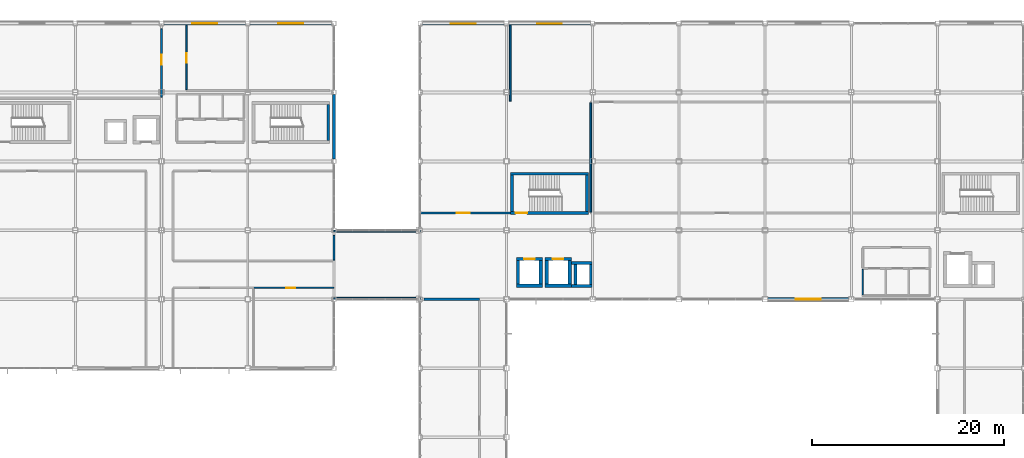
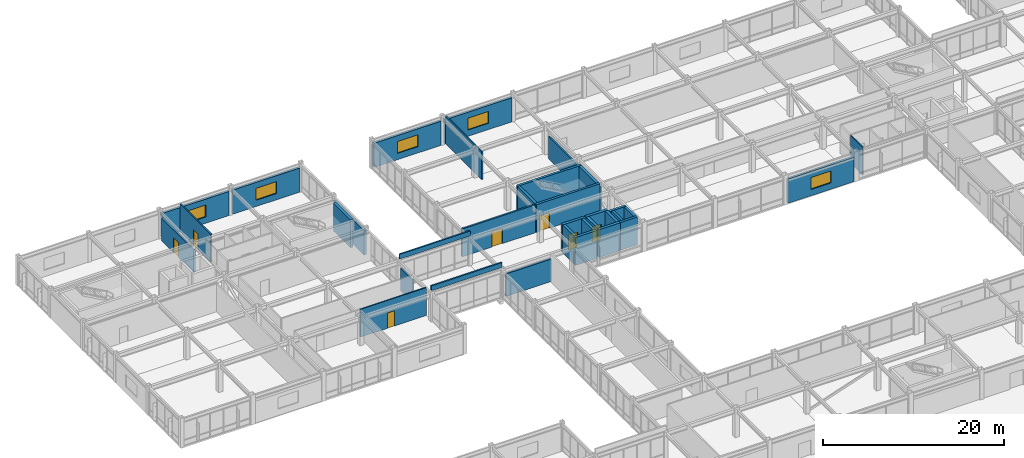
# One storey, part 102 of 122: 34 walls, 7 doors, 5 windows, 12 openings.
"""IFC4 building model written with IfcOpenShell, lengths in metres."""

from ifc_helpers import new_model, si_unit, direction, frame, frame_2d, origin, place, context, subcontext, project, spatial, rectangle, extrude, material, layer, layer_set, type_object, element, fill, save


model = new_model("IFC4")

# Units and contexts
model_context = context("Model", 3, precision=1e-05, world=origin(), true_north=direction((0.0, 1.0)))
body_context = subcontext(model_context, "Body", "Model", "MODEL_VIEW")
ifc_project = project(units=[si_unit("LENGTHUNIT", "METRE"), si_unit("AREAUNIT", "SQUARE_METRE"), si_unit("VOLUMEUNIT", "CUBIC_METRE"), si_unit("PLANEANGLEUNIT", "RADIAN"), si_unit("MASSUNIT", "GRAM", prefix="KILO")], contexts=[model_context])

# Site, building, storey
site_placement = place(None, origin())
site = spatial("IfcSite", under=ifc_project, at=site_placement, CompositionType="ELEMENT")
building_placement = place(site_placement, origin())
building = spatial("IfcBuilding", under=site, at=building_placement, Name="Kazanami Central Library", CompositionType="ELEMENT")
storey_placement = place(building_placement, frame((0.0, 0.0, 4.800048828125)))
storey = spatial("IfcBuildingStorey", under=building, at=storey_placement, Name="L02", CompositionType="ELEMENT", Elevation=4.800048828125)

# Wall
ifc_material_1 = material(Name="Concrete Fc36 (36 MPa)", Category="concrete")
ifc_layer_1 = layer(ifc_material_1, 0.219970703125, Name="Concrete Fc36 (36 MPa)")
ifc_material_2 = material(Name="Extruded Polystyrene XPS", Category="earth")
ifc_layer_2 = layer(ifc_material_2, 0.050048828125, Name="Extruded Polystyrene XPS")
ifc_material_3 = material(Name="Honed Inada Granite", Category="masonry")
ifc_layer_3 = layer(ifc_material_3, 0.030029296875, Name="Honed Inada Granite")
ifc_layer_set_1 = layer_set([ifc_layer_1, ifc_layer_2, ifc_layer_3], Name="Concrete Fc36 (36 MPa)")
wall_type_1 = type_object("IfcWallType", Name="WAL-EW-300", PredefinedType="STANDARD", material=ifc_layer_set_1)
wall_1_placement = place(storey_placement, frame((36.0, 86.175048828125, 0.0), z_axis=(0.0, 0.0, 1.0), x_axis=(0.0, -1.0, 0.0)))
element("IfcWall", 1, at=wall_1_placement, inside=storey, type_object=wall_type_1, Name="Exterior Facade Wall EW-300 L02 E-5-11", PredefinedType="STANDARD", context=body_context, shape_type="SweptSolid", body=[
    extrude(rectangle(XDim=6.75, YDim=0.300048828125, at=frame_2d((3.375, 0.0))), origin(), (0.0, 0.0, 1.0), 3.2548828125),
])

# Wall, opening, window
ifc_layer_4 = layer(ifc_material_1, 0.239990234375, Name="Concrete Fc36 (36 MPa)")
ifc_layer_5 = layer(ifc_material_2, 0.050048828125, Name="Extruded Polystyrene XPS")
ifc_layer_6 = layer(ifc_material_3, 0.030029296875, Name="Honed Inada Granite")
ifc_layer_set_2 = layer_set([ifc_layer_4, ifc_layer_5, ifc_layer_6], Name="Concrete Fc36 (36 MPa)")
wall_type_2 = type_object("IfcWallType", Name="WAL-EW-320", PredefinedType="STANDARD", material=ifc_layer_set_2)
wall_2_placement = place(storey_placement, frame((81.27490234375, 64.800048828125, 0.0), z_axis=(0.0, 0.0, 1.0), x_axis=(1.0, 0.0, 0.0)))
wall_2 = element("IfcWall", 2, at=wall_2_placement, inside=storey, type_object=wall_type_2, Name="Exterior Facade Wall EW-320 L02 S-K-09", PredefinedType="STANDARD", context=body_context, shape_type="SweptSolid", body=[
    extrude(rectangle(XDim=8.4501953125, YDim=0.320068359375, at=frame_2d((4.22509765625, 0.0))), origin(), (0.0, 0.0, 1.0), 3.2548828125),
])
opening_1_placement = place(wall_2_placement, frame((2.925048828125, 0.0, 0.85009765625)))
opening_1 = element("IfcOpeningElement", 3, at=opening_1_placement, cuts=wall_2, Name="Opening WN-13", PredefinedType="OPENING", context=body_context, shape_type="SweptSolid", body=[
    extrude(rectangle(XDim=2.60009765625, YDim=1.60009765625, at=frame_2d((1.300048828125, 0.800048828125))), frame((0.0, 0.171875, 0.0), z_axis=(0.0, -1.0, 0.0), x_axis=(1.0, 0.0, 0.0)), (0.0, 0.0, 1.0), 0.343994140625),
])
ifc_material_4 = material(Name="Low-E Insulated Triple Glass", Category="glass")
window_type = type_object("IfcWindowType", Name="WIN-WN-13", PartitioningType="DOUBLE_PANEL_VERTICAL", PredefinedType="WINDOW", material=ifc_material_4)
window_1_placement = place(opening_1_placement, origin())
window_1 = element("IfcWindow", 4, at=window_1_placement, inside=storey, type_object=window_type, Name="Facade Window WN-13 L02 S-K-09", OverallHeight=1.60009765625, OverallWidth=2.60009765625, PartitioningType="DOUBLE_PANEL_VERTICAL", PredefinedType="WINDOW", context=body_context, shape_type="SweptSolid", body=[
    extrude(rectangle(XDim=2.60009765625, YDim=1.60009765625, at=frame_2d((1.300048828125, 0.800048828125))), frame((0.0, 0.030029296875, 0.0), z_axis=(0.0, -1.0, 0.0), x_axis=(1.0, 0.0, 0.0)), (0.0, 0.0, 1.0), 0.06005859375),
])
fill(opening_1, window_1)

wall_3_placement = place(storey_placement, frame((26.77490234375, 93.60009765625, 0.0), z_axis=(0.0, 0.0, 1.0), x_axis=(-1.0, 0.0, 0.0)))
wall_3 = element("IfcWall", 5, at=wall_3_placement, inside=storey, type_object=wall_type_2, Name="Exterior Facade Wall EW-320 L02 N-O-02", PredefinedType="STANDARD", context=body_context, shape_type="SweptSolid", body=[
    extrude(rectangle(XDim=8.5498046875, YDim=0.320068359375, at=frame_2d((4.27490234375, 0.0))), origin(), (0.0, 0.0, 1.0), 3.2548828125),
])
opening_2_placement = place(wall_3_placement, frame((2.97509765625, 0.0, 0.85009765625)))
opening_2 = element("IfcOpeningElement", 6, at=opening_2_placement, cuts=wall_3, Name="Opening WN-13", PredefinedType="OPENING", context=body_context, shape_type="SweptSolid", body=[
    extrude(rectangle(XDim=2.60009765625, YDim=1.60009765625, at=frame_2d((1.300048828125, 0.800048828125))), frame((0.0, 0.171875, 0.0), z_axis=(0.0, -1.0, 0.0), x_axis=(1.0, 0.0, 0.0)), (0.0, 0.0, 1.0), 0.343994140625),
])
window_2_placement = place(opening_2_placement, origin())
window_2 = element("IfcWindow", 7, at=window_2_placement, inside=storey, type_object=window_type, Name="Facade Window WN-13 L02 N-O-02", OverallHeight=1.60009765625, OverallWidth=2.60009765625, PartitioningType="DOUBLE_PANEL_VERTICAL", PredefinedType="WINDOW", context=body_context, shape_type="SweptSolid", body=[
    extrude(rectangle(XDim=2.60009765625, YDim=1.60009765625, at=frame_2d((1.300048828125, 0.800048828125))), frame((0.0, 0.030029296875, 0.0), z_axis=(0.0, -1.0, 0.0), x_axis=(1.0, 0.0, 0.0)), (0.0, 0.0, 1.0), 0.06005859375),
])
fill(opening_2, window_2)

wall_4_placement = place(storey_placement, frame((35.77490234375, 93.60009765625, 0.0), z_axis=(0.0, 0.0, 1.0), x_axis=(-1.0, 0.0, 0.0)))
wall_4 = element("IfcWall", 8, at=wall_4_placement, inside=storey, type_object=wall_type_2, Name="Exterior Facade Wall EW-320 L02 N-O-03", PredefinedType="STANDARD", context=body_context, shape_type="SweptSolid", body=[
    extrude(rectangle(XDim=8.5498046875, YDim=0.320068359375, at=frame_2d((4.27490234375, 0.0))), origin(), (0.0, 0.0, 1.0), 3.2548828125),
])
opening_3_placement = place(wall_4_placement, frame((2.97509765625, 0.0, 0.85009765625)))
opening_3 = element("IfcOpeningElement", 9, at=opening_3_placement, cuts=wall_4, Name="Opening WN-13", PredefinedType="OPENING", context=body_context, shape_type="SweptSolid", body=[
    extrude(rectangle(XDim=2.60009765625, YDim=1.60009765625, at=frame_2d((1.300048828125, 0.800048828125))), frame((0.0, 0.171875, 0.0), z_axis=(0.0, -1.0, 0.0), x_axis=(1.0, 0.0, 0.0)), (0.0, 0.0, 1.0), 0.343994140625),
])
window_3_placement = place(opening_3_placement, origin())
window_3 = element("IfcWindow", 10, at=window_3_placement, inside=storey, type_object=window_type, Name="Facade Window WN-13 L02 N-O-03", OverallHeight=1.60009765625, OverallWidth=2.60009765625, PartitioningType="DOUBLE_PANEL_VERTICAL", PredefinedType="WINDOW", context=body_context, shape_type="SweptSolid", body=[
    extrude(rectangle(XDim=2.60009765625, YDim=1.60009765625, at=frame_2d((1.300048828125, 0.800048828125))), frame((0.0, 0.030029296875, 0.0), z_axis=(0.0, -1.0, 0.0), x_axis=(1.0, 0.0, 0.0)), (0.0, 0.0, 1.0), 0.06005859375),
])
fill(opening_3, window_3)

wall_5_placement = place(storey_placement, frame((53.77490234375, 93.60009765625, 0.0), z_axis=(0.0, 0.0, 1.0), x_axis=(-1.0, 0.0, 0.0)))
wall_5 = element("IfcWall", 11, at=wall_5_placement, inside=storey, type_object=wall_type_2, Name="Exterior Facade Wall EW-320 L02 N-O-05", PredefinedType="STANDARD", context=body_context, shape_type="SweptSolid", body=[
    extrude(rectangle(XDim=8.5498046875, YDim=0.320068359375, at=frame_2d((4.27490234375, 0.0))), origin(), (0.0, 0.0, 1.0), 3.2548828125),
])
opening_4_placement = place(wall_5_placement, frame((2.97509765625, 0.0, 0.85009765625)))
opening_4 = element("IfcOpeningElement", 12, at=opening_4_placement, cuts=wall_5, Name="Opening WN-13", PredefinedType="OPENING", context=body_context, shape_type="SweptSolid", body=[
    extrude(rectangle(XDim=2.60009765625, YDim=1.60009765625, at=frame_2d((1.300048828125, 0.800048828125))), frame((0.0, 0.171875, 0.0), z_axis=(0.0, -1.0, 0.0), x_axis=(1.0, 0.0, 0.0)), (0.0, 0.0, 1.0), 0.343994140625),
])
window_4_placement = place(opening_4_placement, origin())
window_4 = element("IfcWindow", 13, at=window_4_placement, inside=storey, type_object=window_type, Name="Facade Window WN-13 L02 N-O-05", OverallHeight=1.60009765625, OverallWidth=2.60009765625, PartitioningType="DOUBLE_PANEL_VERTICAL", PredefinedType="WINDOW", context=body_context, shape_type="SweptSolid", body=[
    extrude(rectangle(XDim=2.60009765625, YDim=1.60009765625, at=frame_2d((1.300048828125, 0.800048828125))), frame((0.0, 0.030029296875, 0.0), z_axis=(0.0, -1.0, 0.0), x_axis=(1.0, 0.0, 0.0)), (0.0, 0.0, 1.0), 0.06005859375),
])
fill(opening_4, window_4)

wall_6_placement = place(storey_placement, frame((62.77490234375, 93.60009765625, 0.0), z_axis=(0.0, 0.0, 1.0), x_axis=(-1.0, 0.0, 0.0)))
wall_6 = element("IfcWall", 14, at=wall_6_placement, inside=storey, type_object=wall_type_2, Name="Exterior Facade Wall EW-320 L02 N-O-06", PredefinedType="STANDARD", context=body_context, shape_type="SweptSolid", body=[
    extrude(rectangle(XDim=8.5498046875, YDim=0.320068359375, at=frame_2d((4.27490234375, 0.0))), origin(), (0.0, 0.0, 1.0), 3.2548828125),
])
opening_5_placement = place(wall_6_placement, frame((2.97509765625, 0.0, 0.85009765625)))
opening_5 = element("IfcOpeningElement", 15, at=opening_5_placement, cuts=wall_6, Name="Opening WN-13", PredefinedType="OPENING", context=body_context, shape_type="SweptSolid", body=[
    extrude(rectangle(XDim=2.60009765625, YDim=1.60009765625, at=frame_2d((1.300048828125, 0.800048828125))), frame((0.0, 0.171875, 0.0), z_axis=(0.0, -1.0, 0.0), x_axis=(1.0, 0.0, 0.0)), (0.0, 0.0, 1.0), 0.343994140625),
])
window_5_placement = place(opening_5_placement, origin())
window_5 = element("IfcWindow", 16, at=window_5_placement, inside=storey, type_object=window_type, Name="Facade Window WN-13 L02 N-O-06", OverallHeight=1.60009765625, OverallWidth=2.60009765625, PartitioningType="DOUBLE_PANEL_VERTICAL", PredefinedType="WINDOW", context=body_context, shape_type="SweptSolid", body=[
    extrude(rectangle(XDim=2.60009765625, YDim=1.60009765625, at=frame_2d((1.300048828125, 0.800048828125))), frame((0.0, 0.030029296875, 0.0), z_axis=(0.0, -1.0, 0.0), x_axis=(1.0, 0.0, 0.0)), (0.0, 0.0, 1.0), 0.06005859375),
])
fill(opening_5, window_5)

# Wall
ifc_material_5 = material(Name="Fire-Resistant Gypsum Board GB-F", Category="gypsum")
ifc_layer_7 = layer(ifc_material_5, 0.1650390625, Name="Fire-Resistant Gypsum Board GB-F")
ifc_layer_set_3 = layer_set([ifc_layer_7], Name="Fire-Resistant Gypsum Board GB-F")
wall_type_3 = type_object("IfcWallType", Name="WAL-FW-165", PredefinedType="PARTITIONING", material=ifc_layer_set_3)
wall_7_placement = place(storey_placement, frame((36.0, 68.889892578125, 0.0), z_axis=(0.0, 0.0, 1.0), x_axis=(0.0, 1.0, 0.0)))
element("IfcWall", 17, at=wall_7_placement, inside=storey, type_object=wall_type_3, Name="Interior Partition FW-165 L02 RM-20 (East)", PredefinedType="PARTITIONING", context=body_context, shape_type="SweptSolid", body=[
    extrude(rectangle(XDim=2.590087890625, YDim=0.1650390625, at=frame_2d((1.294921875, 0.0))), origin(), (0.0, 0.0, 1.0), 3.034912109375),
])

# Wall, opening, door
wall_8_placement = place(storey_placement, frame((20.60009765625, 86.68994140625, 0.0), z_axis=(0.0, 0.0, 1.0), x_axis=(0.0, 1.0, 0.0)))
wall_8 = element("IfcWall", 18, at=wall_8_placement, inside=storey, type_object=wall_type_3, Name="Interior Partition FW-165 L02 RM-22 (West)", PredefinedType="PARTITIONING", context=body_context, shape_type="SweptSolid", body=[
    extrude(rectangle(XDim=6.7451171875, YDim=0.1650390625, at=frame_2d((3.37255859375, 0.0))), origin(), (0.0, 0.0, 1.0), 3.7548828125),
])
opening_6_placement = place(wall_8_placement, frame((2.81005859375, 0.0, 0.0)))
opening_6 = element("IfcOpeningElement", 19, at=opening_6_placement, cuts=wall_8, Name="Opening FD30-2", PredefinedType="OPENING", context=body_context, shape_type="SweptSolid", body=[
    extrude(rectangle(XDim=1.0, YDim=2.080078125, at=frame_2d((0.5, 1.0400390625))), frame((0.0, 0.094482421875, 0.0), z_axis=(0.0, -1.0, 0.0), x_axis=(1.0, 0.0, 0.0)), (0.0, 0.0, 1.0), 0.18896484375),
])
ifc_material_6 = material(Name="Cold-Rolled Steel SPCC", Category="steel")
door_type_1 = type_object("IfcDoorType", Name="DOR-FD30-2", OperationType="NOTDEFINED", PredefinedType="DOOR", material=ifc_material_6)
door_1_placement = place(opening_6_placement, origin())
door_1 = element("IfcDoor", 20, at=door_1_placement, inside=storey, type_object=door_type_1, Name="Interior Door FD30-2 L02 RM-22", OperationType="SINGLE_SWING_RIGHT", OverallHeight=2.080078125, OverallWidth=1.0, PredefinedType="DOOR", context=body_context, shape_type="SweptSolid", body=[
    extrude(rectangle(XDim=1.0, YDim=2.080078125, at=frame_2d((0.5, 1.0400390625))), frame((0.0, 0.02490234375, 0.0), z_axis=(0.0, -1.0, 0.0), x_axis=(1.0, 0.0, 0.0)), (0.0, 0.0, 1.0), 0.050048828125),
])
fill(opening_6, door_1)

# Walls
wall_9_placement = place(storey_placement, frame((54.39990234375, 85.489990234375, 0.0), z_axis=(0.0, 0.0, 1.0), x_axis=(0.0, 1.0, 0.0)))
element("IfcWall", 21, at=wall_9_placement, inside=storey, type_object=wall_type_3, Name="Interior Partition FW-165 L02 RM-36 (West)", PredefinedType="PARTITIONING", context=body_context, shape_type="SweptSolid", body=[
    extrude(rectangle(XDim=7.945068359375, YDim=0.1650390625, at=frame_2d((3.97265625, 0.0))), origin(), (0.0, 0.0, 1.0), 3.7548828125),
])
ifc_layer_8 = layer(ifc_material_5, 0.179931640625, Name="Fire-Resistant Gypsum Board GB-F")
ifc_layer_set_4 = layer_set([ifc_layer_8], Name="Fire-Resistant Gypsum Board GB-F")
wall_type_4 = type_object("IfcWallType", Name="WAL-FW-180", PredefinedType="PARTITIONING", material=ifc_layer_set_4)
wall_10_placement = place(storey_placement, frame((62.800048828125, 73.889892578125, 0.0), z_axis=(0.0, 0.0, 1.0), x_axis=(0.0, 1.0, 0.0)))
element("IfcWall", 22, at=wall_10_placement, inside=storey, type_object=wall_type_4, Name="Interior Partition FW-180 L02 RM-33 (West)", PredefinedType="PARTITIONING", context=body_context, shape_type="SweptSolid", body=[
    extrude(rectangle(XDim=11.420166015625, YDim=0.179931640625, at=frame_2d((5.7099609375, 0.0))), origin(), (0.0, 0.0, 1.0), 3.034912109375),
])

# Wall, opening, door
ifc_layer_9 = layer(ifc_material_5, 0.199951171875, Name="Fire-Resistant Gypsum Board GB-F")
ifc_layer_set_5 = layer_set([ifc_layer_9], Name="Fire-Resistant Gypsum Board GB-F")
wall_type_5 = type_object("IfcWallType", Name="WAL-FW-200", PredefinedType="PARTITIONING", material=ifc_layer_set_5)
wall_11_placement = place(storey_placement, frame((18.0, 85.889892578125, 0.0), z_axis=(0.0, 0.0, 1.0), x_axis=(0.0, 1.0, 0.0)))
wall_11 = element("IfcWall", 23, at=wall_11_placement, inside=storey, type_object=wall_type_5, Name="Interior Partition FW-200 L02 RM-21 (East)", PredefinedType="PARTITIONING", context=body_context, shape_type="SweptSolid", body=[
    extrude(rectangle(XDim=7.125, YDim=0.199951171875, at=frame_2d((3.5625, 0.0))), origin(), (0.0, 0.0, 1.0), 3.034912109375),
])
opening_7_placement = place(wall_11_placement, frame((3.385009765625, 0.0, 0.0)))
opening_7 = element("IfcOpeningElement", 24, at=opening_7_placement, cuts=wall_11, Name="Opening FD60-8", PredefinedType="OPENING", context=body_context, shape_type="SweptSolid", body=[
    extrude(rectangle(XDim=1.050048828125, YDim=2.02001953125, at=frame_2d((0.52490234375, 1.010009765625))), frame((0.0, 0.11181640625, 0.0), z_axis=(0.0, -1.0, 0.0), x_axis=(1.0, 0.0, 0.0)), (0.0, 0.0, 1.0), 0.223876953125),
])
door_type_2 = type_object("IfcDoorType", Name="DOR-FD60-8", OperationType="NOTDEFINED", PredefinedType="DOOR", material=ifc_material_6)
door_2_placement = place(opening_7_placement, origin())
door_2 = element("IfcDoor", 25, at=door_2_placement, inside=storey, type_object=door_type_2, Name="Interior Door FD60-8 L02 RM-21", OperationType="SINGLE_SWING_LEFT", OverallHeight=2.02001953125, OverallWidth=1.050048828125, PredefinedType="DOOR", context=body_context, shape_type="SweptSolid", body=[
    extrude(rectangle(XDim=1.050048828125, YDim=2.02001953125, at=frame_2d((0.52490234375, 1.010009765625))), frame((0.0, 0.02490234375, 0.0), z_axis=(0.0, -1.0, 0.0), x_axis=(1.0, 0.0, 0.0)), (0.0, 0.0, 1.0), 0.050048828125),
])
fill(opening_7, door_2)

# Wall
ifc_layer_10 = layer(ifc_material_5, 0.219970703125, Name="Fire-Resistant Gypsum Board GB-F")
ifc_layer_set_6 = layer_set([ifc_layer_10], Name="Fire-Resistant Gypsum Board GB-F")
wall_type_6 = type_object("IfcWallType", Name="WAL-FW-220", PredefinedType="PARTITIONING", material=ifc_layer_set_6)
wall_12_placement = place(storey_placement, frame((45.419921875, 64.800048828125, 0.0), z_axis=(0.0, 0.0, 1.0), x_axis=(1.0, 0.0, 0.0)))
element("IfcWall", 26, at=wall_12_placement, inside=storey, type_object=wall_type_6, Name="Interior Partition FW-220 L02 RM-31 (North)", PredefinedType="PARTITIONING", context=body_context, shape_type="SweptSolid", body=[
    extrude(rectangle(XDim=5.780029296875, YDim=0.219970703125, at=frame_2d((2.89013671875, 0.0))), origin(), (0.0, 0.0, 1.0), 3.034912109375),
])

# Wall, opening, door
wall_13_placement = place(storey_placement, frame((45.034912109375, 73.800048828125, 0.0), z_axis=(0.0, 0.0, 1.0), x_axis=(1.0, 0.0, 0.0)))
wall_13 = element("IfcWall", 27, at=wall_13_placement, inside=storey, type_object=wall_type_6, Name="Interior Partition FW-220 L02 RM-34 (South)", PredefinedType="PARTITIONING", context=body_context, shape_type="SweptSolid", body=[
    extrude(rectangle(XDim=9.364990234375, YDim=0.219970703125, at=frame_2d((4.6826171875, 0.0))), origin(), (0.0, 0.0, 1.0), 3.7548828125),
])
opening_8_placement = place(wall_13_placement, frame((3.7900390625, 0.0, 0.0)))
opening_8 = element("IfcOpeningElement", 28, at=opening_8_placement, cuts=wall_13, Name="Opening FD60-7", PredefinedType="OPENING", context=body_context, shape_type="SweptSolid", body=[
    extrude(rectangle(XDim=1.35009765625, YDim=2.080078125, at=frame_2d((0.675048828125, 1.0400390625))), frame((0.0, 0.1220703125, 0.0), z_axis=(0.0, -1.0, 0.0), x_axis=(1.0, 0.0, 0.0)), (0.0, 0.0, 1.0), 0.243896484375),
])
door_type_3 = type_object("IfcDoorType", Name="DOR-FD60-7", OperationType="DOUBLE_DOOR_SINGLE_SWING", PredefinedType="DOOR", material=ifc_material_6)
door_3_placement = place(opening_8_placement, origin())
door_3 = element("IfcDoor", 29, at=door_3_placement, inside=storey, type_object=door_type_3, Name="Interior Door FD60-7 L02 RM-34", OperationType="DOUBLE_DOOR_SINGLE_SWING", OverallHeight=2.080078125, OverallWidth=1.35009765625, PredefinedType="DOOR", context=body_context, shape_type="SweptSolid", body=[
    extrude(rectangle(XDim=1.35009765625, YDim=2.080078125, at=frame_2d((0.675048828125, 1.0400390625))), frame((0.0, 0.02490234375, 0.0), z_axis=(0.0, -1.0, 0.0), x_axis=(1.0, 0.0, 0.0)), (0.0, 0.0, 1.0), 0.050048828125),
])
fill(opening_8, door_3)

# Wall
ifc_material_7 = material(Name="Gypsum Plasterboard GB-R", Category="gypsum")
ifc_layer_11 = layer(ifc_material_7, 0.125, Name="Gypsum Plasterboard GB-R")
ifc_layer_set_7 = layer_set([ifc_layer_11], Name="Gypsum Plasterboard GB-R")
wall_type_7 = type_object("IfcWallType", Name="WAL-PW-125", PredefinedType="PARTITIONING", material=ifc_layer_set_7)
wall_14_placement = place(storey_placement, frame((91.199951171875, 65.2548828125, 0.0), z_axis=(0.0, 0.0, 1.0), x_axis=(0.0, 1.0, 0.0)))
element("IfcWall", 30, at=wall_14_placement, inside=storey, type_object=wall_type_7, Name="Interior Partition PW-125 L02 WC-V1-M (West)", PredefinedType="PARTITIONING", context=body_context, shape_type="SweptSolid", body=[
    extrude(rectangle(XDim=2.655029296875, YDim=0.125, at=frame_2d((1.32763671875, 0.0))), origin(), (0.0, 0.0, 1.0), 3.7548828125),
])

# Wall, opening, door
ifc_layer_12 = layer(ifc_material_7, 0.14990234375, Name="Gypsum Plasterboard GB-R")
ifc_layer_set_8 = layer_set([ifc_layer_12], Name="Gypsum Plasterboard GB-R")
wall_type_8 = type_object("IfcWallType", Name="WAL-PW-150", PredefinedType="PARTITIONING", material=ifc_layer_set_8)
wall_15_placement = place(storey_placement, frame((27.60009765625, 66.0, 0.0), z_axis=(0.0, 0.0, 1.0), x_axis=(1.0, 0.0, 0.0)))
wall_15 = element("IfcWall", 31, at=wall_15_placement, inside=storey, type_object=wall_type_8, Name="Interior Partition PW-150 L02 RM-19 (North)", PredefinedType="PARTITIONING", context=body_context, shape_type="SweptSolid", body=[
    extrude(rectangle(XDim=8.39990234375, YDim=0.14990234375, at=frame_2d((4.199951171875, 0.0))), origin(), (0.0, 0.0, 1.0), 3.7548828125),
])
opening_9_placement = place(wall_15_placement, frame((3.43994140625, 0.0, 0.0)))
opening_9 = element("IfcOpeningElement", 32, at=opening_9_placement, cuts=wall_15, Name="Opening ID-02", PredefinedType="OPENING", context=body_context, shape_type="SweptSolid", body=[
    extrude(rectangle(XDim=0.919921875, YDim=2.06005859375, at=frame_2d((0.4599609375, 1.030029296875))), frame((0.0, 0.0869140625, 0.0), z_axis=(0.0, -1.0, 0.0), x_axis=(1.0, 0.0, 0.0)), (0.0, 0.0, 1.0), 0.173828125),
])
ifc_material_8 = material(Name="White Oak Hardwood", Category="wood")
door_type_4 = type_object("IfcDoorType", Name="DOR-ID-02", OperationType="NOTDEFINED", PredefinedType="DOOR", material=ifc_material_8)
door_4_placement = place(opening_9_placement, origin())
door_4 = element("IfcDoor", 33, at=door_4_placement, inside=storey, type_object=door_type_4, Name="Interior Door ID-02 L02 RM-19", OperationType="SINGLE_SWING_LEFT", OverallHeight=2.06005859375, OverallWidth=0.919921875, PredefinedType="DOOR", context=body_context, shape_type="SweptSolid", body=[
    extrude(rectangle(XDim=0.919921875, YDim=2.06005859375, at=frame_2d((0.4599609375, 1.030029296875))), frame((0.0, 0.02490234375, 0.0), z_axis=(0.0, -1.0, 0.0), x_axis=(1.0, 0.0, 0.0)), (0.0, 0.0, 1.0), 0.050048828125),
])
fill(opening_9, door_4)

# Walls
ifc_layer_13 = layer(ifc_material_1, 0.18994140625, Name="Concrete Fc36 (36 MPa)")
ifc_layer_set_9 = layer_set([ifc_layer_13], Name="Concrete Fc36 (36 MPa)")
wall_type_9 = type_object("IfcWallType", Name="WAL-PW-190", PredefinedType="PARAPET", material=ifc_layer_set_9)
for number, where, z_axis, x_axis, name in (
    (34, (36.0, 64.89501953125, 4.0), (0.0, 0.0, 1.0), (1.0, 0.0, 0.0), "Roof Eave Parapet BRG-WN-S"),
    (35, (36.0, 71.905029296875, 4.0), (0.0, 0.0, 1.0), (1.0, 0.0, 0.0), "Roof Eave Parapet BRG-WN-N"),
):
    element("IfcWall", number, at=place(storey_placement, frame(where, z_axis=z_axis, x_axis=x_axis)), inside=storey, type_object=wall_type_9, Name=name, PredefinedType="PARAPET", context=body_context, shape_type="SweptSolid", body=[
        extrude(rectangle(XDim=9.0, YDim=0.18994140625, at=frame_2d((4.5, 0.0))), origin(), (0.0, 0.0, 1.0), 0.64990234375),
    ])

# Wall, opening, door
ifc_layer_14 = layer(ifc_material_1, 0.300048828125, Name="Concrete Fc36 (36 MPa)")
ifc_layer_set_10 = layer_set([ifc_layer_14], Name="Concrete Fc36 (36 MPa)")
wall_type_10 = type_object("IfcWallType", Name="WAL-SW-300", PredefinedType="SHEAR", material=ifc_layer_set_10)
wall_16_placement = place(storey_placement, frame((54.449951171875, 73.800048828125, 0.0), z_axis=(0.0, 0.0, 1.0), x_axis=(1.0, 0.0, 0.0)))
wall_16 = element("IfcWall", 36, at=wall_16_placement, inside=storey, type_object=wall_type_10, Name="Stair Core Wall ST-03 South L02", PredefinedType="SHEAR", context=body_context, shape_type="SweptSolid", body=[
    extrude(rectangle(XDim=8.10009765625, YDim=0.300048828125, at=frame_2d((4.050048828125, 0.0))), origin(), (0.0, 0.0, 1.0), 3.7548828125),
])
opening_10_placement = place(wall_16_placement, frame((0.5, 0.0, 0.0)))
opening_10 = element("IfcOpeningElement", 37, at=opening_10_placement, cuts=wall_16, Name="Opening FD60-1", PredefinedType="OPENING", context=body_context, shape_type="SweptSolid", body=[
    extrude(rectangle(XDim=1.199951171875, YDim=2.10009765625, at=frame_2d((0.60009765625, 1.050048828125))), frame((0.0, 0.162109375, 0.0), z_axis=(0.0, -1.0, 0.0), x_axis=(1.0, 0.0, 0.0)), (0.0, 0.0, 1.0), 0.323974609375),
])
door_type_5 = type_object("IfcDoorType", Name="DOR-FD60-1", OperationType="NOTDEFINED", PredefinedType="DOOR", material=ifc_material_6)
door_5_placement = place(opening_10_placement, origin())
door_5 = element("IfcDoor", 38, at=door_5_placement, inside=storey, type_object=door_type_5, Name="Escape Stair ST-03 Fire Door L02", OperationType="SINGLE_SWING_LEFT", OverallHeight=2.10009765625, OverallWidth=1.199951171875, PredefinedType="DOOR", context=body_context, shape_type="SweptSolid", body=[
    extrude(rectangle(XDim=1.199951171875, YDim=2.10009765625, at=frame_2d((0.60009765625, 1.050048828125))), frame((0.0, 0.02490234375, 0.0), z_axis=(0.0, -1.0, 0.0), x_axis=(1.0, 0.0, 0.0)), (0.0, 0.0, 1.0), 0.050048828125),
])
fill(opening_10, door_5)

# Walls
wall_17_placement = place(storey_placement, frame((54.449951171875, 77.89990234375, 0.0), z_axis=(0.0, 0.0, 1.0), x_axis=(1.0, 0.0, 0.0)))
element("IfcWall", 39, at=wall_17_placement, inside=storey, type_object=wall_type_10, Name="Stair Core Wall ST-03 North L02", PredefinedType="SHEAR", context=body_context, shape_type="SweptSolid", body=[
    extrude(rectangle(XDim=8.10009765625, YDim=0.300048828125, at=frame_2d((4.050048828125, 0.0))), origin(), (0.0, 0.0, 1.0), 3.7548828125),
])
for number, where, z_axis, x_axis, name in (
    (40, (54.60009765625, 73.949951171875, 0.0), (0.0, 0.0, 1.0), (0.0, 1.0, 0.0), "Stair Core Wall ST-03 West L02"),
    (41, (62.39990234375, 73.949951171875, 0.0), (0.0, 0.0, 1.0), (0.0, 1.0, 0.0), "Stair Core Wall ST-03 East L02"),
):
    element("IfcWall", number, at=place(storey_placement, frame(where, z_axis=z_axis, x_axis=x_axis)), inside=storey, type_object=wall_type_10, Name=name, PredefinedType="SHEAR", context=body_context, shape_type="SweptSolid", body=[
        extrude(rectangle(XDim=3.800048828125, YDim=0.300048828125, at=frame_2d((1.89990234375, 0.0))), origin(), (0.0, 0.0, 1.0), 3.7548828125),
    ])
wall_18_placement = place(storey_placement, frame((35.39990234375, 81.35009765625, 0.0), z_axis=(0.0, 0.0, 1.0), x_axis=(0.0, 1.0, 0.0)))
element("IfcWall", 42, at=wall_18_placement, inside=storey, type_object=wall_type_10, Name="Stair Core Wall ST-06 East L02", PredefinedType="SHEAR", context=body_context, shape_type="SweptSolid", body=[
    extrude(rectangle(XDim=3.7998046875, YDim=0.300048828125, at=frame_2d((1.89990234375, 0.0))), origin(), (0.0, 0.0, 1.0), 3.7548828125),
])
for number, where, z_axis, x_axis, name in (
    (43, (60.77490234375, 66.199951171875, 0.0), (0.0, 0.0, 1.0), (1.0, 0.0, 0.0), "Service Riser Wall RSR-V1-A S L02"),
    (44, (60.77490234375, 68.60009765625, 0.0), (0.0, 0.0, 1.0), (1.0, 0.0, 0.0), "Service Riser Wall RSR-V1-A N L02"),
):
    element("IfcWall", number, at=place(storey_placement, frame(where, z_axis=z_axis, x_axis=x_axis)), inside=storey, type_object=wall_type_10, Name=name, PredefinedType="SHEAR", context=body_context, shape_type="SweptSolid", body=[
        extrude(rectangle(XDim=2.175048828125, YDim=0.300048828125, at=frame_2d((1.08740234375, 0.0))), origin(), (0.0, 0.0, 1.0), 3.7548828125),
    ])
for number, where, z_axis, x_axis, name in (
    (45, (61.199951171875, 66.35009765625, 0.0), (0.0, 0.0, 1.0), (0.0, 1.0, 0.0), "Service Riser Wall RSR-V1-A W L02"),
    (46, (62.800048828125, 66.35009765625, 0.0), (0.0, 0.0, 1.0), (0.0, 1.0, 0.0), "Service Riser Wall RSR-V1-A E L02"),
):
    element("IfcWall", number, at=place(storey_placement, frame(where, z_axis=z_axis, x_axis=x_axis)), inside=storey, type_object=wall_type_10, Name=name, PredefinedType="SHEAR", context=body_context, shape_type="SweptSolid", body=[
        extrude(rectangle(XDim=2.099853515625, YDim=0.300048828125, at=frame_2d((1.0498046875, 0.0))), origin(), (0.0, 0.0, 1.0), 3.7548828125),
    ])
ifc_layer_15 = layer(ifc_material_1, 0.35009765625, Name="Concrete Fc36 (36 MPa)")
ifc_layer_set_11 = layer_set([ifc_layer_15], Name="Concrete Fc36 (36 MPa)")
wall_type_11 = type_object("IfcWallType", Name="WAL-SW-350", PredefinedType="SHEAR", material=ifc_layer_set_11)
wall_19_placement = place(storey_placement, frame((55.02490234375, 66.199951171875, 0.0), z_axis=(0.0, 0.0, 1.0), x_axis=(1.0, 0.0, 0.0)))
element("IfcWall", 47, at=wall_19_placement, inside=storey, type_object=wall_type_11, Name="Lift Shaft Wall EL-P2 South L02", PredefinedType="SHEAR", context=body_context, shape_type="SweptSolid", body=[
    extrude(rectangle(XDim=2.75, YDim=0.35009765625, at=frame_2d((1.375, 0.0))), origin(), (0.0, 0.0, 1.0), 3.7548828125),
])

# Wall, opening, door
wall_20_placement = place(storey_placement, frame((55.02490234375, 69.0, 0.0), z_axis=(0.0, 0.0, 1.0), x_axis=(1.0, 0.0, 0.0)))
wall_20 = element("IfcWall", 48, at=wall_20_placement, inside=storey, type_object=wall_type_11, Name="Lift Shaft Wall EL-P2 North L02", PredefinedType="SHEAR", context=body_context, shape_type="SweptSolid", body=[
    extrude(rectangle(XDim=2.75, YDim=0.35009765625, at=frame_2d((1.375, 0.0))), origin(), (0.0, 0.0, 1.0), 3.7548828125),
])
opening_11_placement = place(wall_20_placement, frame((0.824951171875, 0.0, 0.0)))
opening_11 = element("IfcOpeningElement", 49, at=opening_11_placement, cuts=wall_20, Name="Opening LD-01", PredefinedType="OPENING", context=body_context, shape_type="SweptSolid", body=[
    extrude(rectangle(XDim=1.10009765625, YDim=2.10009765625, at=frame_2d((0.550048828125, 1.050048828125))), frame((0.0, 0.18701171875, 0.0), z_axis=(0.0, -1.0, 0.0), x_axis=(1.0, 0.0, 0.0)), (0.0, 0.0, 1.0), 0.3740234375),
])
ifc_material_9 = material(Name="Stainless Steel SUS304", Category="steel")
door_type_6 = type_object("IfcDoorType", Name="DOR-LD-01", OperationType="SLIDING_TO_LEFT", PredefinedType="DOOR", material=ifc_material_9)
door_6_placement = place(opening_11_placement, origin())
door_6 = element("IfcDoor", 50, at=door_6_placement, inside=storey, type_object=door_type_6, Name="Lift Landing Sliding Door EL-P2 (L02)", OperationType="SLIDING_TO_RIGHT", OverallHeight=2.10009765625, OverallWidth=1.10009765625, PredefinedType="DOOR", context=body_context, shape_type="SweptSolid", body=[
    extrude(rectangle(XDim=1.10009765625, YDim=2.10009765625, at=frame_2d((0.550048828125, 1.050048828125))), frame((0.0, 0.02490234375, 0.0), z_axis=(0.0, -1.0, 0.0), x_axis=(1.0, 0.0, 0.0)), (0.0, 0.0, 1.0), 0.050048828125),
])
fill(opening_11, door_6)

# Walls
for number, where, z_axis, x_axis, name in (
    (51, (55.199951171875, 66.375, 0.0), (0.0, 0.0, 1.0), (0.0, 1.0, 0.0), "Lift Shaft Wall EL-P2 West L02"),
    (52, (57.60009765625, 66.375, 0.0), (0.0, 0.0, 1.0), (0.0, 1.0, 0.0), "Lift Shaft Wall EL-P2 East L02"),
):
    element("IfcWall", number, at=place(storey_placement, frame(where, z_axis=z_axis, x_axis=x_axis)), inside=storey, type_object=wall_type_11, Name=name, PredefinedType="SHEAR", context=body_context, shape_type="SweptSolid", body=[
        extrude(rectangle(XDim=2.449951171875, YDim=0.35009765625, at=frame_2d((1.22509765625, 0.0))), origin(), (0.0, 0.0, 1.0), 3.7548828125),
    ])
wall_21_placement = place(storey_placement, frame((58.02490234375, 66.199951171875, 0.0), z_axis=(0.0, 0.0, 1.0), x_axis=(1.0, 0.0, 0.0)))
element("IfcWall", 53, at=wall_21_placement, inside=storey, type_object=wall_type_11, Name="Lift Shaft Wall EL-P3 South L02", PredefinedType="SHEAR", context=body_context, shape_type="SweptSolid", body=[
    extrude(rectangle(XDim=2.75, YDim=0.35009765625, at=frame_2d((1.375, 0.0))), origin(), (0.0, 0.0, 1.0), 3.7548828125),
])

# Wall, opening, door
wall_22_placement = place(storey_placement, frame((58.02490234375, 69.0, 0.0), z_axis=(0.0, 0.0, 1.0), x_axis=(1.0, 0.0, 0.0)))
wall_22 = element("IfcWall", 54, at=wall_22_placement, inside=storey, type_object=wall_type_11, Name="Lift Shaft Wall EL-P3 North L02", PredefinedType="SHEAR", context=body_context, shape_type="SweptSolid", body=[
    extrude(rectangle(XDim=2.75, YDim=0.35009765625, at=frame_2d((1.375, 0.0))), origin(), (0.0, 0.0, 1.0), 3.7548828125),
])
opening_12_placement = place(wall_22_placement, frame((0.824951171875, 0.0, 0.0)))
opening_12 = element("IfcOpeningElement", 55, at=opening_12_placement, cuts=wall_22, Name="Opening LD-01", PredefinedType="OPENING", context=body_context, shape_type="SweptSolid", body=[
    extrude(rectangle(XDim=1.10009765625, YDim=2.10009765625, at=frame_2d((0.550048828125, 1.050048828125))), frame((0.0, 0.18701171875, 0.0), z_axis=(0.0, -1.0, 0.0), x_axis=(1.0, 0.0, 0.0)), (0.0, 0.0, 1.0), 0.3740234375),
])
door_7_placement = place(opening_12_placement, origin())
door_7 = element("IfcDoor", 56, at=door_7_placement, inside=storey, type_object=door_type_6, Name="Lift Landing Sliding Door EL-P3 (L02)", OperationType="SLIDING_TO_RIGHT", OverallHeight=2.10009765625, OverallWidth=1.10009765625, PredefinedType="DOOR", context=body_context, shape_type="SweptSolid", body=[
    extrude(rectangle(XDim=1.10009765625, YDim=2.10009765625, at=frame_2d((0.550048828125, 1.050048828125))), frame((0.0, 0.02490234375, 0.0), z_axis=(0.0, -1.0, 0.0), x_axis=(1.0, 0.0, 0.0)), (0.0, 0.0, 1.0), 0.050048828125),
])
fill(opening_12, door_7)

# Walls
for number, where, z_axis, x_axis, name in (
    (57, (58.199951171875, 66.375, 0.0), (0.0, 0.0, 1.0), (0.0, 1.0, 0.0), "Lift Shaft Wall EL-P3 West L02"),
    (58, (60.60009765625, 66.375, 0.0), (0.0, 0.0, 1.0), (0.0, 1.0, 0.0), "Lift Shaft Wall EL-P3 East L02"),
):
    element("IfcWall", number, at=place(storey_placement, frame(where, z_axis=z_axis, x_axis=x_axis)), inside=storey, type_object=wall_type_11, Name=name, PredefinedType="SHEAR", context=body_context, shape_type="SweptSolid", body=[
        extrude(rectangle(XDim=2.449951171875, YDim=0.35009765625, at=frame_2d((1.22509765625, 0.0))), origin(), (0.0, 0.0, 1.0), 3.7548828125),
    ])

save(model, "model.ifc")
